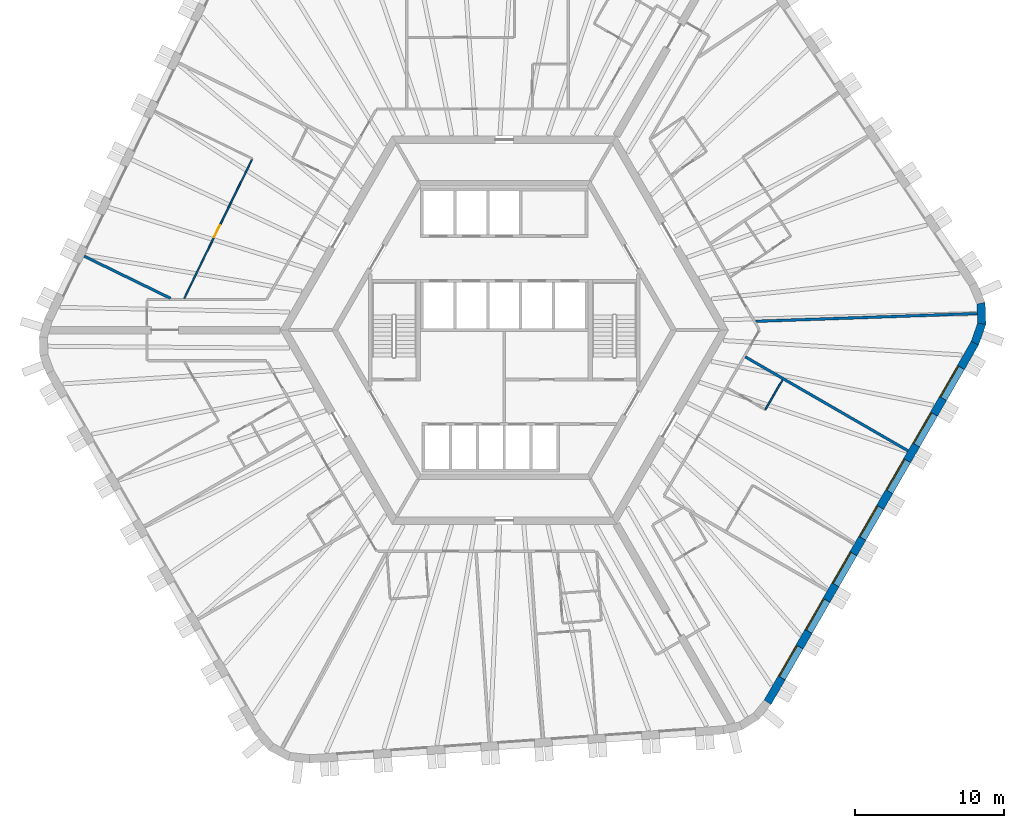
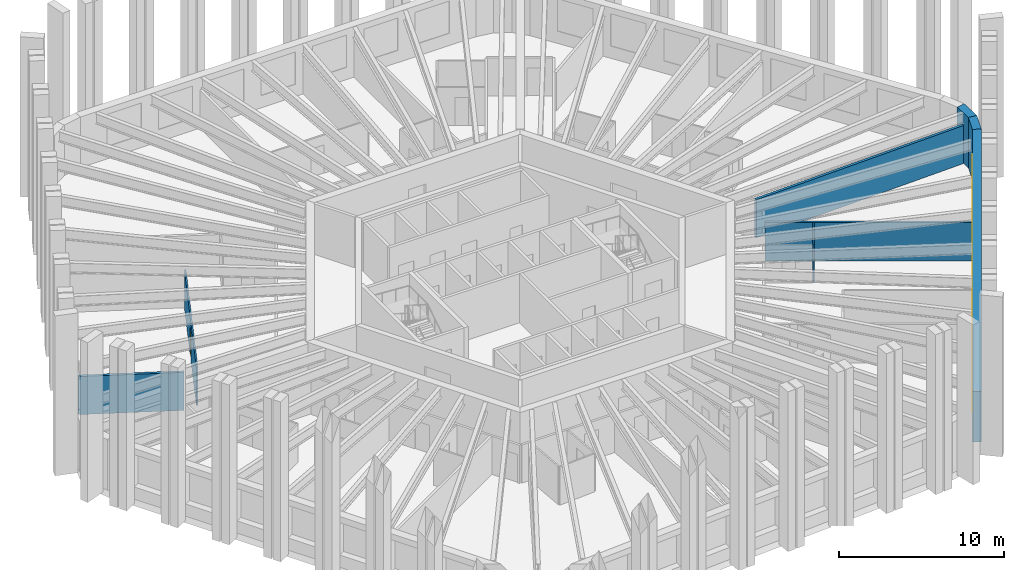
# One storey, part 6 of 10: 8 walls, 7 windows, 1 door, 8 openings.
"""IFC4 building model written with IfcOpenShell, lengths in metres."""

from ifc_helpers import new_model, si_unit, direction, frame, frame_2d, origin, place, context, subcontext, project, spatial, polyline, rectangle, outline, extrude, material, layer, layer_set, type_object, element, fill, save


model = new_model("IFC4")

# Units and contexts
model_context = context("Model", 3, precision=1e-05, world=origin(), true_north=direction((0.0, 1.0)))
body_context = subcontext(model_context, "Body", "Model", "MODEL_VIEW")
ifc_project = project(units=[si_unit("LENGTHUNIT", "METRE"), si_unit("AREAUNIT", "SQUARE_METRE"), si_unit("VOLUMEUNIT", "CUBIC_METRE"), si_unit("PLANEANGLEUNIT", "RADIAN"), si_unit("MASSUNIT", "GRAM", prefix="KILO")], contexts=[model_context])

# Site, building, storey
site_placement = place(None, origin())
site = spatial("IfcSite", under=ifc_project, at=site_placement, CompositionType="ELEMENT")
building_placement = place(site_placement, origin())
building = spatial("IfcBuilding", under=site, at=building_placement, Name="Tarnside Tower", CompositionType="ELEMENT")
storey_placement = place(building_placement, frame((0.0, 0.0, 152.699951171875)))
storey = spatial("IfcBuildingStorey", under=building, at=storey_placement, Name="L35", CompositionType="ELEMENT", Elevation=152.699951171875)

# Walls
ifc_material_1 = material(Name="Gypsum board partition on steel studs", Category="steel")
ifc_layer_1 = layer(ifc_material_1, 0.10009765625)
ifc_layer_set_1 = layer_set([ifc_layer_1], Name="Bathroom wall 100")
wall_type_1 = type_object("IfcWallType", Name="Bathroom wall 100", PredefinedType="PARTITIONING", material=ifc_layer_set_1)
wall_1_placement = place(storey_placement, frame((18.629150390625, -3.333251953125, 0.0), z_axis=(0.0, 0.0, 1.0), x_axis=(-0.500015210774, -0.866016621662, 0.0)))
element("IfcWall", 1, at=wall_1_placement, inside=storey, type_object=wall_type_1, Name="Bathroom wall 11099", PredefinedType="PARTITIONING", context=body_context, shape_type="SweptSolid", body=[
    extrude(rectangle(XDim=2.31005859375, YDim=0.10009765625, at=frame_2d((1.155029296875, 0.0))), origin(), (0.0, 0.0, 1.0), 2.823486328125),
])
ifc_layer_2 = layer(ifc_material_1, 0.179931640625)
ifc_layer_set_2 = layer_set([ifc_layer_2], Name="Demising wall 180 EI 60")
wall_type_2 = type_object("IfcWallType", Name="Demising wall 180 EI 60", PredefinedType="PARTITIONING", material=ifc_layer_set_2)
wall_2_placement = place(storey_placement, frame((-28.127197265625, 4.948974609375, 0.0), z_axis=(0.0, 0.0, 1.0), x_axis=(0.898795032868, -0.438369124017, 0.0)))
element("IfcWall", 2, at=wall_2_placement, inside=storey, type_object=wall_type_2, Name="Demising wall 11065", PredefinedType="PARTITIONING", context=body_context, shape_type="SweptSolid", body=[
    extrude(rectangle(XDim=6.44189453125, YDim=0.179931640625, at=frame_2d((3.220947265625, 0.0))), origin(), (0.0, 0.0, 1.0), 2.823486328125),
])
wall_3_placement = place(storey_placement, frame((27.03125, -8.080322265625, 0.0), z_axis=(0.0, 0.0, 1.0), x_axis=(-0.86602780907, 0.499995833901, 0.0)))
element("IfcWall", 3, at=wall_3_placement, inside=storey, type_object=wall_type_2, Name="Demising wall 11103", PredefinedType="PARTITIONING", context=body_context, shape_type="SweptSolid", body=[
    extrude(rectangle(XDim=12.57470703125, YDim=0.179931640625, at=frame_2d((6.287353515625, 0.0))), origin(), (0.0, 0.0, 1.0), 2.823486328125),
])
wall_4_placement = place(storey_placement, frame((31.66650390625, 1.105712890625, 0.0), z_axis=(0.0, 0.0, 1.0), x_axis=(-0.999390937365, -0.034896336667, 0.0)))
element("IfcWall", 4, at=wall_4_placement, inside=storey, type_object=wall_type_2, Name="Demising wall 11105", PredefinedType="PARTITIONING", context=body_context, shape_type="SweptSolid", body=[
    extrude(rectangle(XDim=14.8388671875, YDim=0.179931640625, at=frame_2d((7.41943359375, 0.0))), origin(), (0.0, 0.0, 1.0), 2.823486328125),
])

# Wall, opening, door
ifc_layer_3 = layer(ifc_material_1, 0.10009765625)
ifc_layer_set_3 = layer_set([ifc_layer_3], Name="Partition 100")
wall_type_3 = type_object("IfcWallType", Name="Partition 100", PredefinedType="PARTITIONING", material=ifc_layer_set_3)
wall_5_placement = place(storey_placement, frame((-16.88720703125, 11.427490234375, 0.0), z_axis=(0.0, 0.0, 1.0), x_axis=(-0.438369721011, -0.898794741696, 0.0)))
wall_5 = element("IfcWall", 5, at=wall_5_placement, inside=storey, type_object=wall_type_3, Name="Partition wall 11064", PredefinedType="PARTITIONING", context=body_context, shape_type="SweptSolid", body=[
    extrude(rectangle(XDim=10.349853515625, YDim=0.10009765625, at=frame_2d((5.1748046875, 0.0))), origin(), (0.0, 0.0, 1.0), 2.823486328125),
])
opening_1_placement = place(wall_5_placement, frame((4.89990234375, 0.0, 0.0)))
opening_1 = element("IfcOpeningElement", 6, at=opening_1_placement, cuts=wall_5, Name="Opening D-I1", PredefinedType="OPENING", context=body_context, shape_type="SweptSolid", body=[
    extrude(rectangle(XDim=0.89990234375, YDim=2.10009765625, at=frame_2d((0.449951171875, 1.050048828125))), frame((0.0, 0.06005859375, 0.0), z_axis=(0.0, -1.0, 0.0), x_axis=(1.0, 0.0, 0.0)), (0.0, 0.0, 1.0), 0.1201171875),
])
ifc_material_2 = material(Name="Timber door leaf", Category="wood")
door_type = type_object("IfcDoorType", Name="Internal door 900", OperationType="NOTDEFINED", PredefinedType="DOOR", material=ifc_material_2)
door_placement = place(opening_1_placement, origin())
door = element("IfcDoor", 7, at=door_placement, inside=storey, type_object=door_type, Name="Internal door 11009", OperationType="SINGLE_SWING_LEFT", OverallHeight=2.10009765625, OverallWidth=0.89990234375, PredefinedType="DOOR", context=body_context, shape_type="SweptSolid", body=[
    extrude(rectangle(XDim=0.89990234375, YDim=2.10009765625, at=frame_2d((0.449951171875, 1.050048828125))), frame((0.0, 0.02490234375, 0.0), z_axis=(0.0, -1.0, 0.0), x_axis=(1.0, 0.0, 0.0)), (0.0, 0.0, 1.0), 0.050048828125),
])
fill(opening_1, door)

# Wall, openings, windows
ifc_material_3 = material(Name="Facing brick", Category="masonry")
ifc_layer_4 = layer(ifc_material_3, 0.10205078125)
ifc_material_4 = material(Name="Concrete C60/75 precast", Category="concrete")
ifc_layer_5 = layer(ifc_material_4, 0.347900390625)
ifc_material_5 = material(Name="Mineral wool insulation")
ifc_layer_6 = layer(ifc_material_5, 0.10009765625)
ifc_layer_set_4 = layer_set([ifc_layer_4, ifc_layer_5, ifc_layer_6], Name="Tube wall 550 brick faced")
wall_type_4 = type_object("IfcWallType", Name="Tube wall 550 brick faced", PredefinedType="SOLIDWALL", material=ifc_layer_set_4)
wall_6_placement = place(storey_placement, frame((17.630126953125, -24.913818359375, 0.0), z_axis=(0.0, 0.0, 1.0), x_axis=(0.499998569178, 0.866026229868, 0.0)))
wall_6 = element("IfcWall", 8, at=wall_6_placement, inside=storey, type_object=wall_type_4, Name="Tube wall L35 F5 flush 16", PredefinedType="SOLIDWALL", context=body_context, shape_type="SweptSolid", body=[
    extrude(outline(polyline([(-0.0224609375, -0.27490234375), (27.783447265625, -0.27490234375), (27.732177734375, 0.27490234375), (0.0224609375, 0.27490234375), (-0.0224609375, -0.27490234375)])), origin(), (0.0, 0.0, 1.0), 3.75),
])
opening_2_placement = place(wall_6_placement, frame((1.87890625, 0.0, 0.89990234375)))
opening_2 = element("IfcOpeningElement", 9, at=opening_2_placement, cuts=wall_6, Name="Opening WH", PredefinedType="OPENING", context=body_context, shape_type="SweptSolid", body=[
    extrude(rectangle(XDim=2.39990234375, YDim=2.39990234375, at=frame_2d((1.199951171875, 1.199951171875))), frame((0.0, 0.28515625, 0.0), z_axis=(0.0, -1.0, 0.0), x_axis=(1.0, 0.0, 0.0)), (0.0, 0.0, 1.0), 0.570068359375),
])
opening_3_placement = place(wall_6_placement, frame((5.47900390625, 0.0, 0.89990234375)))
opening_3 = element("IfcOpeningElement", 10, at=opening_3_placement, cuts=wall_6, Name="Opening WH", PredefinedType="OPENING", context=body_context, shape_type="SweptSolid", body=[
    extrude(rectangle(XDim=2.39990234375, YDim=2.39990234375, at=frame_2d((1.199951171875, 1.199951171875))), frame((0.0, 0.28515625, 0.0), z_axis=(0.0, -1.0, 0.0), x_axis=(1.0, 0.0, 0.0)), (0.0, 0.0, 1.0), 0.570068359375),
])
opening_4_placement = place(wall_6_placement, frame((9.078857421875, 0.0, 0.89990234375)))
opening_4 = element("IfcOpeningElement", 11, at=opening_4_placement, cuts=wall_6, Name="Opening WH", PredefinedType="OPENING", context=body_context, shape_type="SweptSolid", body=[
    extrude(rectangle(XDim=2.39990234375, YDim=2.39990234375, at=frame_2d((1.199951171875, 1.199951171875))), frame((0.0, 0.28515625, 0.0), z_axis=(0.0, -1.0, 0.0), x_axis=(1.0, 0.0, 0.0)), (0.0, 0.0, 1.0), 0.570068359375),
])
opening_5_placement = place(wall_6_placement, frame((12.678955078125, 0.0, 0.89990234375)))
opening_5 = element("IfcOpeningElement", 12, at=opening_5_placement, cuts=wall_6, Name="Opening WH", PredefinedType="OPENING", context=body_context, shape_type="SweptSolid", body=[
    extrude(rectangle(XDim=2.39990234375, YDim=2.39990234375, at=frame_2d((1.199951171875, 1.199951171875))), frame((0.0, 0.28515625, 0.0), z_axis=(0.0, -1.0, 0.0), x_axis=(1.0, 0.0, 0.0)), (0.0, 0.0, 1.0), 0.570068359375),
])
opening_6_placement = place(wall_6_placement, frame((16.27880859375, 0.0, 0.89990234375)))
opening_6 = element("IfcOpeningElement", 13, at=opening_6_placement, cuts=wall_6, Name="Opening WH", PredefinedType="OPENING", context=body_context, shape_type="SweptSolid", body=[
    extrude(rectangle(XDim=2.39990234375, YDim=2.39990234375, at=frame_2d((1.199951171875, 1.199951171875))), frame((0.0, 0.28515625, 0.0), z_axis=(0.0, -1.0, 0.0), x_axis=(1.0, 0.0, 0.0)), (0.0, 0.0, 1.0), 0.570068359375),
])
opening_7_placement = place(wall_6_placement, frame((19.87890625, 0.0, 0.89990234375)))
opening_7 = element("IfcOpeningElement", 14, at=opening_7_placement, cuts=wall_6, Name="Opening WH", PredefinedType="OPENING", context=body_context, shape_type="SweptSolid", body=[
    extrude(rectangle(XDim=2.39990234375, YDim=2.39990234375, at=frame_2d((1.199951171875, 1.199951171875))), frame((0.0, 0.28515625, 0.0), z_axis=(0.0, -1.0, 0.0), x_axis=(1.0, 0.0, 0.0)), (0.0, 0.0, 1.0), 0.570068359375),
])
opening_8_placement = place(wall_6_placement, frame((23.47900390625, 0.0, 0.89990234375)))
opening_8 = element("IfcOpeningElement", 15, at=opening_8_placement, cuts=wall_6, Name="Opening WH", PredefinedType="OPENING", context=body_context, shape_type="SweptSolid", body=[
    extrude(rectangle(XDim=2.39990234375, YDim=2.39990234375, at=frame_2d((1.199951171875, 1.199951171875))), frame((0.0, 0.28515625, 0.0), z_axis=(0.0, -1.0, 0.0), x_axis=(1.0, 0.0, 0.0)), (0.0, 0.0, 1.0), 0.570068359375),
])
ifc_material_6 = material(Name="Aluminium-framed double glazing", Category="aluminium")
window_type = type_object("IfcWindowType", Name="Hotel window 2400 x 2400", PartitioningType="DOUBLE_PANEL_VERTICAL", PredefinedType="WINDOW", material=ifc_material_6)
window_1_placement = place(opening_2_placement, frame((0.0, 0.205078125, 0.0)))
window_1 = element("IfcWindow", 16, at=window_1_placement, inside=storey, type_object=window_type, Name="E.WN.L35.F5.00", OverallHeight=2.39990234375, OverallWidth=2.39990234375, PartitioningType="DOUBLE_PANEL_VERTICAL", PredefinedType="WINDOW", context=body_context, shape_type="SweptSolid", body=[
    extrude(rectangle(XDim=2.39990234375, YDim=2.39990234375, at=frame_2d((1.199951171875, 1.199951171875))), frame((0.0, 0.030029296875, 0.0), z_axis=(0.0, -1.0, 0.0), x_axis=(1.0, 0.0, 0.0)), (0.0, 0.0, 1.0), 0.06005859375),
])
fill(opening_2, window_1)
window_2_placement = place(opening_3_placement, frame((0.0, 0.205078125, 0.0)))
window_2 = element("IfcWindow", 17, at=window_2_placement, inside=storey, type_object=window_type, Name="E.WN.L35.F5.01", OverallHeight=2.39990234375, OverallWidth=2.39990234375, PartitioningType="DOUBLE_PANEL_VERTICAL", PredefinedType="WINDOW", context=body_context, shape_type="SweptSolid", body=[
    extrude(rectangle(XDim=2.39990234375, YDim=2.39990234375, at=frame_2d((1.199951171875, 1.199951171875))), frame((0.0, 0.030029296875, 0.0), z_axis=(0.0, -1.0, 0.0), x_axis=(1.0, 0.0, 0.0)), (0.0, 0.0, 1.0), 0.06005859375),
])
fill(opening_3, window_2)
window_3_placement = place(opening_4_placement, frame((0.0, 0.205078125, 0.0)))
window_3 = element("IfcWindow", 18, at=window_3_placement, inside=storey, type_object=window_type, Name="E.WN.L35.F5.02", OverallHeight=2.39990234375, OverallWidth=2.39990234375, PartitioningType="DOUBLE_PANEL_VERTICAL", PredefinedType="WINDOW", context=body_context, shape_type="SweptSolid", body=[
    extrude(rectangle(XDim=2.39990234375, YDim=2.39990234375, at=frame_2d((1.199951171875, 1.199951171875))), frame((0.0, 0.030029296875, 0.0), z_axis=(0.0, -1.0, 0.0), x_axis=(1.0, 0.0, 0.0)), (0.0, 0.0, 1.0), 0.06005859375),
])
fill(opening_4, window_3)
window_4_placement = place(opening_5_placement, frame((0.0, 0.205078125, 0.0)))
window_4 = element("IfcWindow", 19, at=window_4_placement, inside=storey, type_object=window_type, Name="E.WN.L35.F5.03", OverallHeight=2.39990234375, OverallWidth=2.39990234375, PartitioningType="DOUBLE_PANEL_VERTICAL", PredefinedType="WINDOW", context=body_context, shape_type="SweptSolid", body=[
    extrude(rectangle(XDim=2.39990234375, YDim=2.39990234375, at=frame_2d((1.199951171875, 1.199951171875))), frame((0.0, 0.030029296875, 0.0), z_axis=(0.0, -1.0, 0.0), x_axis=(1.0, 0.0, 0.0)), (0.0, 0.0, 1.0), 0.06005859375),
])
fill(opening_5, window_4)
window_5_placement = place(opening_6_placement, frame((0.0, 0.205078125, 0.0)))
window_5 = element("IfcWindow", 20, at=window_5_placement, inside=storey, type_object=window_type, Name="E.WN.L35.F5.04", OverallHeight=2.39990234375, OverallWidth=2.39990234375, PartitioningType="DOUBLE_PANEL_VERTICAL", PredefinedType="WINDOW", context=body_context, shape_type="SweptSolid", body=[
    extrude(rectangle(XDim=2.39990234375, YDim=2.39990234375, at=frame_2d((1.199951171875, 1.199951171875))), frame((0.0, 0.030029296875, 0.0), z_axis=(0.0, -1.0, 0.0), x_axis=(1.0, 0.0, 0.0)), (0.0, 0.0, 1.0), 0.06005859375),
])
fill(opening_6, window_5)
window_6_placement = place(opening_7_placement, frame((0.0, 0.205078125, 0.0)))
window_6 = element("IfcWindow", 21, at=window_6_placement, inside=storey, type_object=window_type, Name="E.WN.L35.F5.05", OverallHeight=2.39990234375, OverallWidth=2.39990234375, PartitioningType="DOUBLE_PANEL_VERTICAL", PredefinedType="WINDOW", context=body_context, shape_type="SweptSolid", body=[
    extrude(rectangle(XDim=2.39990234375, YDim=2.39990234375, at=frame_2d((1.199951171875, 1.199951171875))), frame((0.0, 0.030029296875, 0.0), z_axis=(0.0, -1.0, 0.0), x_axis=(1.0, 0.0, 0.0)), (0.0, 0.0, 1.0), 0.06005859375),
])
fill(opening_7, window_6)
window_7_placement = place(opening_8_placement, frame((0.0, 0.205078125, 0.0)))
window_7 = element("IfcWindow", 22, at=window_7_placement, inside=storey, type_object=window_type, Name="E.WN.L35.F5.06", OverallHeight=2.39990234375, OverallWidth=2.39990234375, PartitioningType="DOUBLE_PANEL_VERTICAL", PredefinedType="WINDOW", context=body_context, shape_type="SweptSolid", body=[
    extrude(rectangle(XDim=2.39990234375, YDim=2.39990234375, at=frame_2d((1.199951171875, 1.199951171875))), frame((0.0, 0.030029296875, 0.0), z_axis=(0.0, -1.0, 0.0), x_axis=(1.0, 0.0, 0.0)), (0.0, 0.0, 1.0), 0.06005859375),
])
fill(opening_8, window_7)

# Walls
wall_7_placement = place(storey_placement, frame((31.509033203125, -0.874755859375, 0.0), z_axis=(0.0, 0.0, 1.0), x_axis=(0.33111537203, 0.943590276765, 0.0)))
element("IfcWall", 23, at=wall_7_placement, inside=storey, type_object=wall_type_4, Name="Tube wall L35 F5 chord 17", PredefinedType="SOLIDWALL", context=body_context, shape_type="SweptSolid", body=[
    extrude(outline(polyline([(-0.025634765625, -0.27490234375), (1.4306640625, -0.27490234375), (1.3271484375, 0.27490234375), (0.025634765625, 0.27490234375), (-0.025634765625, -0.27490234375)])), origin(), (0.0, 0.0, 1.0), 3.75),
])
wall_8_placement = place(storey_placement, frame((31.965576171875, 0.42626953125, 0.0), z_axis=(0.0, 0.0, 1.0), x_axis=(-0.034876908462, 0.999391615562, 0.0)))
element("IfcWall", 24, at=wall_8_placement, inside=storey, type_object=wall_type_4, Name="Tube wall L35 F5 chord 18", PredefinedType="SOLIDWALL", context=body_context, shape_type="SweptSolid", body=[
    extrude(outline(polyline([(-0.0517578125, -0.27490234375), (1.4306640625, -0.27490234375), (1.3271484375, 0.27490234375), (0.0517578125, 0.27490234375), (-0.0517578125, -0.27490234375)])), origin(), (0.0, 0.0, 1.0), 3.75),
])

save(model, "model.ifc")
